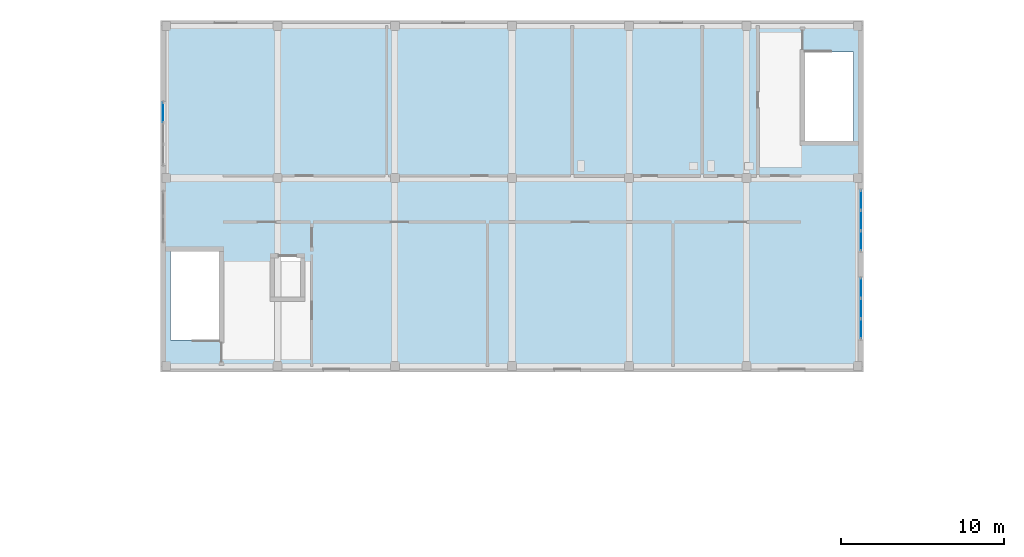
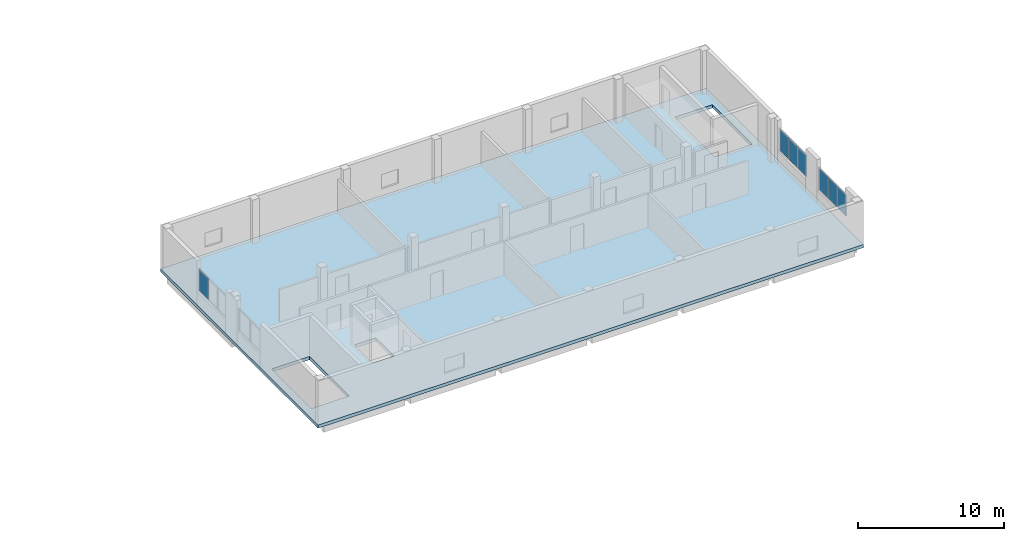
# One storey, part 31 of 73: 7 plates, 1 slab, 3 elements without a shape of their own.
"""IFC4 building model written with IfcOpenShell, lengths in metres."""

from ifc_helpers import new_model, si_unit, derived_unit, direction, frame, origin, origin_2d, place, context, subcontext, project, spatial, polyline, rectangle, outline, extrude, material, layer, layer_set, type_object, element, aggregate, save


model = new_model("IFC4")

# Units and contexts
model_context = context("Model", 3, precision=1e-05, world=origin(), true_north=direction((0.0, 1.0)))
body_context = subcontext(model_context, "Body", "Model", "MODEL_VIEW")
ifc_project = project(units=[si_unit("LENGTHUNIT", "METRE"), si_unit("AREAUNIT", "SQUARE_METRE"), si_unit("VOLUMEUNIT", "CUBIC_METRE"), si_unit("PLANEANGLEUNIT", "RADIAN"), si_unit("MASSUNIT", "GRAM", prefix="KILO"), derived_unit("THERMALTRANSMITTANCEUNIT", [(si_unit("MASSUNIT", "GRAM", prefix="KILO"), 1), (si_unit("TIMEUNIT", "SECOND"), -3), (si_unit("THERMODYNAMICTEMPERATUREUNIT", "KELVIN"), -1)])], contexts=[model_context])

# Site, building, storey
site_placement = place(None, origin())
site = spatial("IfcSite", under=ifc_project, at=site_placement, CompositionType="ELEMENT")
building_placement = place(site_placement, origin())
building = spatial("IfcBuilding", under=site, at=building_placement, Name="Ochrekiln Boulevard Commons", CompositionType="ELEMENT")
storey_placement = place(building_placement, frame((0.0, 0.0, 4.89990234375)))
storey = spatial("IfcBuildingStorey", under=building, at=storey_placement, Name="L01", CompositionType="ELEMENT", Elevation=4.89990234375)

# Curtain wall, plate
ifc_material_1 = material(Name="Bronze-anodized extruded aluminium 6063-T6", Category="aluminium")
ifc_layer_1 = layer(ifc_material_1, 0.219970703125)
ifc_layer_set_1 = layer_set([ifc_layer_1], Name="Bronze-anodized extruded aluminium 6063-T6")
curtain_wall_type = type_object("IfcCurtainWallType", Name="CW-NUR", PredefinedType="USERDEFINED", material=ifc_layer_set_1)
curtain_wall_1_placement = place(storey_placement, origin())
curtain_wall_1 = element("IfcCurtainWall", 1, at=curtain_wall_1_placement, inside=storey, type_object=curtain_wall_type, Name="Nursery L01 Garden End Curtain Wall W-2", ObjectType="GLAZED CURTAIN WALL", PredefinedType="USERDEFINED")
ifc_material_2 = material(Name="Spectrally selective low-E insulated glazing", Category="glass")
ifc_layer_2 = layer(ifc_material_2, 0.02392578125)
ifc_layer_set_2 = layer_set([ifc_layer_2], Name="Spectrally selective low-E insulated glazing")
plate_type_1 = type_object("IfcPlateType", Name="CWP-GLZ-1", PredefinedType="CURTAIN_PANEL", material=ifc_layer_set_2)
plate_1_placement = place(storey_placement, frame((64.9599609375, 113.1337890625, 1.17529296875), z_axis=(0.0, 0.0, 1.0), x_axis=(0.0, 1.0, 0.0)))
plate_1 = element("IfcPlate", 2, at=plate_1_placement, type_object=plate_type_1, Name="CW-05 panel 3.1", PredefinedType="CURTAIN_PANEL", context=body_context, shape_type="SweptSolid", body=[
    extrude(rectangle(XDim=1.202392578125, YDim=0.02392578125, at=origin_2d()), origin(), (0.0, 0.0, 1.0), 1.760009765625),
])
aggregate(curtain_wall_1, [plate_1])

# Curtain wall, plates
curtain_wall_2_placement = place(storey_placement, origin())
curtain_wall_2 = element("IfcCurtainWall", 3, at=curtain_wall_2_placement, inside=storey, type_object=curtain_wall_type, Name="Nursery L01 Garden End Curtain Wall E-1", ObjectType="GLAZED CURTAIN WALL", PredefinedType="USERDEFINED")
ifc_layer_3 = layer(ifc_material_2, 0.030029296875)
ifc_layer_set_3 = layer_set([ifc_layer_3], Name="Spectrally selective low-E insulated glazing")
plate_type_2 = type_object("IfcPlateType", Name="CWP-GLZ-2", PredefinedType="CURTAIN_PANEL", material=ifc_layer_set_3)
plate_2_placement = place(storey_placement, frame((107.840087890625, 99.849609375, 1.17529296875), z_axis=(0.0, 0.0, 1.0), x_axis=(0.0, 1.0, 0.0)))
plate_2 = element("IfcPlate", 4, at=plate_2_placement, type_object=plate_type_2, Name="CW-05 panel 1.1", PredefinedType="CURTAIN_PANEL", context=body_context, shape_type="SweptSolid", body=[
    extrude(rectangle(XDim=1.169189453125, YDim=0.030029296875, at=origin_2d()), origin(), (0.0, 0.0, 1.0), 1.760009765625),
])
plate_3_placement = place(storey_placement, frame((107.840087890625, 101.10009765625, 1.17529296875), z_axis=(0.0, 0.0, 1.0), x_axis=(0.0, 1.0, 0.0)))
plate_3 = element("IfcPlate", 5, at=plate_3_placement, type_object=plate_type_2, Name="CW-05 panel 2.1", PredefinedType="CURTAIN_PANEL", context=body_context, shape_type="SweptSolid", body=[
    extrude(rectangle(XDim=1.20166015625, YDim=0.030029296875, at=origin_2d()), origin(), (0.0, 0.0, 1.0), 1.760009765625),
])
plate_4_placement = place(storey_placement, frame((107.840087890625, 102.350341796875, 1.17529296875), z_axis=(0.0, 0.0, 1.0), x_axis=(0.0, 1.0, 0.0)))
plate_4 = element("IfcPlate", 6, at=plate_4_placement, type_object=plate_type_2, Name="CW-05 panel 3.1", PredefinedType="CURTAIN_PANEL", context=body_context, shape_type="SweptSolid", body=[
    extrude(rectangle(XDim=1.169189453125, YDim=0.030029296875, at=origin_2d()), origin(), (0.0, 0.0, 1.0), 1.760009765625),
])
aggregate(curtain_wall_2, [plate_2, plate_3, plate_4])

curtain_wall_3_placement = place(storey_placement, origin())
curtain_wall_3 = element("IfcCurtainWall", 7, at=curtain_wall_3_placement, inside=storey, type_object=curtain_wall_type, Name="Nursery L01 Garden End Curtain Wall E-2", ObjectType="GLAZED CURTAIN WALL", PredefinedType="USERDEFINED")
ifc_layer_4 = layer(ifc_material_2, 0.035888671875)
ifc_layer_set_4 = layer_set([ifc_layer_4], Name="Spectrally selective low-E insulated glazing")
plate_type_3 = type_object("IfcPlateType", Name="CWP-GLZ-3", PredefinedType="CURTAIN_PANEL", material=ifc_layer_set_4)
plate_5_placement = place(storey_placement, frame((107.840087890625, 105.24951171875, 1.17529296875), z_axis=(0.0, 0.0, 1.0), x_axis=(0.0, 1.0, 0.0)))
plate_5 = element("IfcPlate", 8, at=plate_5_placement, type_object=plate_type_3, Name="CW-05 panel 1.1", PredefinedType="CURTAIN_PANEL", context=body_context, shape_type="SweptSolid", body=[
    extrude(rectangle(XDim=1.169189453125, YDim=0.035888671875, at=origin_2d()), origin(), (0.0, 0.0, 1.0), 1.760009765625),
])
plate_6_placement = place(storey_placement, frame((107.840087890625, 106.5, 1.17529296875), z_axis=(0.0, 0.0, 1.0), x_axis=(0.0, 1.0, 0.0)))
plate_6 = element("IfcPlate", 9, at=plate_6_placement, type_object=plate_type_3, Name="CW-05 panel 2.1", PredefinedType="CURTAIN_PANEL", context=body_context, shape_type="SweptSolid", body=[
    extrude(rectangle(XDim=1.20166015625, YDim=0.035888671875, at=origin_2d()), origin(), (0.0, 0.0, 1.0), 1.760009765625),
])
plate_7_placement = place(storey_placement, frame((107.840087890625, 107.75048828125, 1.17529296875), z_axis=(0.0, 0.0, 1.0), x_axis=(0.0, 1.0, 0.0)))
plate_7 = element("IfcPlate", 10, at=plate_7_placement, type_object=plate_type_3, Name="CW-05 panel 3.1", PredefinedType="CURTAIN_PANEL", context=body_context, shape_type="SweptSolid", body=[
    extrude(rectangle(XDim=1.169189453125, YDim=0.035888671875, at=origin_2d()), origin(), (0.0, 0.0, 1.0), 1.760009765625),
])
aggregate(curtain_wall_3, [plate_5, plate_6, plate_7])

# Slab
ifc_material_3 = material(Name="Concrete C35/45", Category="concrete")
ifc_layer_5 = layer(ifc_material_3, 0.27001953125)
ifc_layer_set_5 = layer_set([ifc_layer_5], Name="Concrete C35/45")
slab_type = type_object("IfcSlabType", Name="SLB-CIV-270", PredefinedType="FLOOR", material=ifc_layer_set_5)
slab_placement = place(storey_placement, frame((0.0, 0.0, -0.27001953125)))
element("IfcSlab", 11, at=slab_placement, inside=storey, type_object=slab_type, Name="Nursery Pavilion L01 Floor Slab", PredefinedType="FLOOR", context=body_context, shape_type="SweptSolid", body=[
    extrude(outline(polyline([(64.800048828125, 97.199951171875), (108.0, 97.199951171875), (108.0, 118.800048828125), (64.800048828125, 118.800048828125), (64.800048828125, 97.199951171875)]), holes=[polyline([(68.39990234375, 99.150390625), (68.39990234375, 104.60009765625), (65.39990234375, 104.60009765625), (65.39990234375, 99.150390625), (68.39990234375, 99.150390625)]), polyline([(104.39990234375, 116.849609375), (104.39990234375, 111.39990234375), (107.39990234375, 111.39990234375), (107.39990234375, 116.849609375), (104.39990234375, 116.849609375)]), polyline([(71.75, 101.75), (73.449951171875, 101.75), (73.449951171875, 104.25), (71.75, 104.25), (71.75, 101.75)])]), origin(), (0.0, 0.0, 1.0), 0.27001953125),
])

save(model, "model.ifc")
